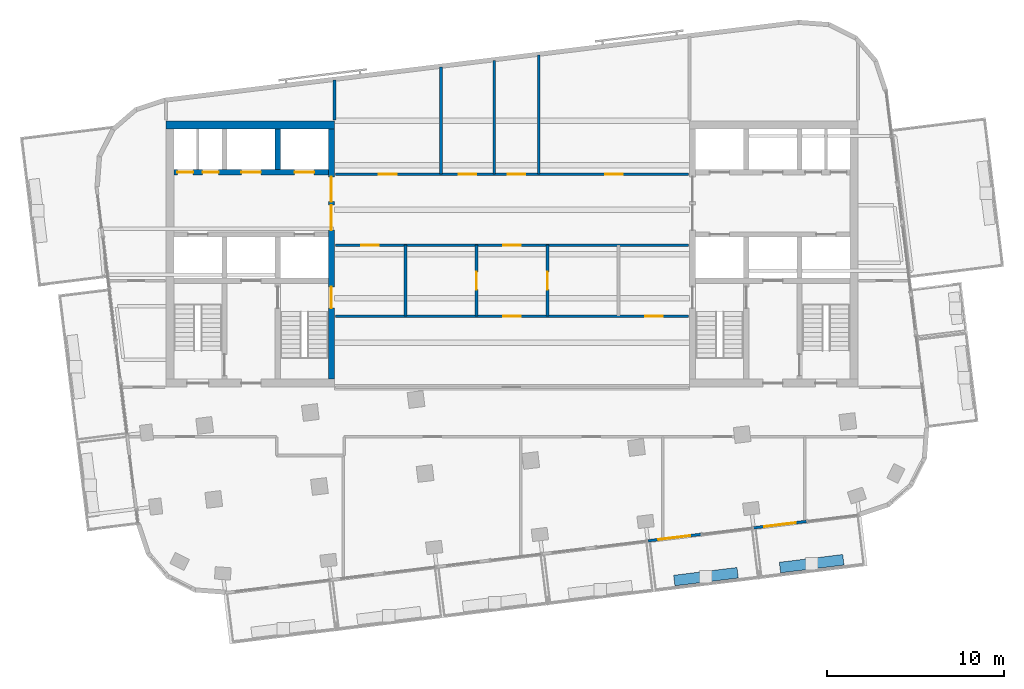
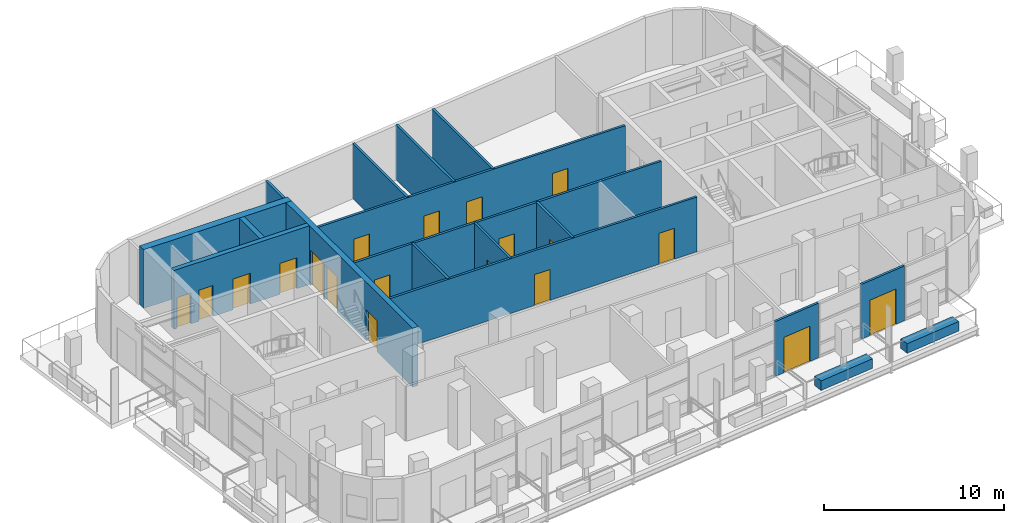
# One storey, part 8 of 14: 19 doors, 18 walls, 19 openings.
"""IFC4 building model written with IfcOpenShell, lengths in metres."""

from ifc_helpers import new_model, si_unit, direction, frame, frame_2d, origin, place, context, subcontext, project, spatial, rectangle, extrude, material, layer, layer_set, type_object, element, fill, save


model = new_model("IFC4")

# Units and contexts
model_context = context("Model", 3, precision=1e-05, world=origin(), true_north=direction((0.0, 1.0)))
body_context = subcontext(model_context, "Body", "Model", "MODEL_VIEW")
ifc_project = project(units=[si_unit("LENGTHUNIT", "METRE"), si_unit("AREAUNIT", "SQUARE_METRE"), si_unit("VOLUMEUNIT", "CUBIC_METRE"), si_unit("PLANEANGLEUNIT", "RADIAN"), si_unit("MASSUNIT", "GRAM", prefix="KILO")], contexts=[model_context])

# Site, building, storey
site_placement = place(None, origin())
site = spatial("IfcSite", under=ifc_project, at=site_placement, CompositionType="ELEMENT")
building_placement = place(site_placement, origin())
building = spatial("IfcBuilding", under=site, at=building_placement, Name="Torana Hotel and Residences", CompositionType="ELEMENT")
storey_placement = place(building_placement, frame((0.0, 0.0, 338.60009765625)))
storey = spatial("IfcBuildingStorey", under=building, at=storey_placement, Name="L89", CompositionType="ELEMENT", Elevation=338.60009765625)

# Wall, openings, doors
ifc_material_1 = material(Name="Concrete C60/75", Category="concrete")
ifc_layer_1 = layer(ifc_material_1, 0.300048828125)
ifc_layer_set_1 = layer_set([ifc_layer_1], Name="CORE WALL 300 C60/75")
wall_type_1 = type_object("IfcWallType", Name="CORE WALL 300 C60/75", PredefinedType="SHEAR", material=ifc_layer_set_1)
wall_1_placement = place(storey_placement, frame((-19.050048828125, -2.89990234375, 0.0), z_axis=(0.0, 0.0, 1.0), x_axis=(1.0, 0.0, 0.0)))
wall_1 = element("IfcWall", 1, at=wall_1_placement, inside=storey, type_object=wall_type_1, Name="Core wall W row-N", PredefinedType="SHEAR", context=body_context, shape_type="SweptSolid", body=[
    extrude(rectangle(XDim=8.699951171875, YDim=0.300048828125, at=frame_2d((4.35009765625, 0.0))), origin(), (0.0, 0.0, 1.0), 4.0),
])
opening_1_placement = place(wall_1_placement, frame((6.800048828125, 0.0, 0.0)))
opening_1 = element("IfcOpeningElement", 2, at=opening_1_placement, cuts=wall_1, Name="Opening LD", PredefinedType="OPENING", context=body_context, shape_type="SweptSolid", body=[
    extrude(rectangle(XDim=1.10009765625, YDim=2.10009765625, at=frame_2d((0.550048828125, 1.050048828125))), frame((0.0, 0.159912109375, 0.0), z_axis=(0.0, -1.0, 0.0), x_axis=(1.0, 0.0, 0.0)), (0.0, 0.0, 1.0), 0.320068359375),
])
opening_2_placement = place(wall_1_placement, frame((3.800048828125, 0.0, 0.0)))
opening_2 = element("IfcOpeningElement", 3, at=opening_2_placement, cuts=wall_1, Name="Opening LD", PredefinedType="OPENING", context=body_context, shape_type="SweptSolid", body=[
    extrude(rectangle(XDim=1.10009765625, YDim=2.10009765625, at=frame_2d((0.550048828125, 1.050048828125))), frame((0.0, 0.159912109375, 0.0), z_axis=(0.0, -1.0, 0.0), x_axis=(1.0, 0.0, 0.0)), (0.0, 0.0, 1.0), 0.320068359375),
])
opening_3_placement = place(wall_1_placement, frame((1.612548828125, 0.0, 0.0)))
opening_3 = element("IfcOpeningElement", 4, at=opening_3_placement, cuts=wall_1, Name="Opening L89-06", PredefinedType="OPENING", context=body_context, shape_type="SweptSolid", body=[
    extrude(rectangle(XDim=0.89990234375, YDim=2.10009765625, at=frame_2d((0.449951171875, 1.050048828125))), frame((0.0, 0.159912109375, 0.0), z_axis=(0.0, -1.0, 0.0), x_axis=(1.0, 0.0, 0.0)), (0.0, 0.0, 1.0), 0.320068359375),
])
opening_4_placement = place(wall_1_placement, frame((0.1875, 0.0, 0.0)))
opening_4 = element("IfcOpeningElement", 5, at=opening_4_placement, cuts=wall_1, Name="Opening L89-07", PredefinedType="OPENING", context=body_context, shape_type="SweptSolid", body=[
    extrude(rectangle(XDim=0.89990234375, YDim=2.10009765625, at=frame_2d((0.449951171875, 1.050048828125))), frame((0.0, 0.159912109375, 0.0), z_axis=(0.0, -1.0, 0.0), x_axis=(1.0, 0.0, 0.0)), (0.0, 0.0, 1.0), 0.320068359375),
])
ifc_material_2 = material(Name="Stainless steel 316", Category="steel")
door_type_1 = type_object("IfcDoorType", Name="LIFT LANDING DOOR LD 1100x2100", OperationType="DOUBLE_DOOR_SLIDING", PredefinedType="USERDEFINED", material=ifc_material_2)
door_1_placement = place(opening_1_placement, origin())
door_1 = element("IfcDoor", 6, at=door_1_placement, inside=storey, type_object=door_type_1, Name="Lift landing door H1 L89", ObjectType="LIFT LANDING DOOR", OperationType="DOUBLE_DOOR_SLIDING", OverallHeight=2.10009765625, OverallWidth=1.10009765625, PredefinedType="USERDEFINED", context=body_context, shape_type="SweptSolid", body=[
    extrude(rectangle(XDim=1.10009765625, YDim=2.10009765625, at=frame_2d((0.550048828125, 1.050048828125))), frame((0.0, 0.02490234375, 0.0), z_axis=(0.0, -1.0, 0.0), x_axis=(1.0, 0.0, 0.0)), (0.0, 0.0, 1.0), 0.050048828125),
])
fill(opening_1, door_1)
door_2_placement = place(opening_2_placement, origin())
door_2 = element("IfcDoor", 7, at=door_2_placement, inside=storey, type_object=door_type_1, Name="Lift landing door H2 L89", ObjectType="LIFT LANDING DOOR", OperationType="DOUBLE_DOOR_SLIDING", OverallHeight=2.10009765625, OverallWidth=1.10009765625, PredefinedType="USERDEFINED", context=body_context, shape_type="SweptSolid", body=[
    extrude(rectangle(XDim=1.10009765625, YDim=2.10009765625, at=frame_2d((0.550048828125, 1.050048828125))), frame((0.0, 0.02490234375, 0.0), z_axis=(0.0, -1.0, 0.0), x_axis=(1.0, 0.0, 0.0)), (0.0, 0.0, 1.0), 0.050048828125),
])
fill(opening_2, door_2)
ifc_material_3 = material(Name="Steel S235", Category="steel")
door_type_2 = type_object("IfcDoorType", Name="RISER ACCESS DOOR D5 900x2100", OperationType="SINGLE_SWING_LEFT", PredefinedType="DOOR", material=ifc_material_3)
door_3_placement = place(opening_3_placement, origin())
door_3 = element("IfcDoor", 8, at=door_3_placement, inside=storey, type_object=door_type_2, Name="N2A door L89", OperationType="SINGLE_SWING_RIGHT", OverallHeight=2.10009765625, OverallWidth=0.89990234375, PredefinedType="DOOR", context=body_context, shape_type="SweptSolid", body=[
    extrude(rectangle(XDim=0.89990234375, YDim=2.10009765625, at=frame_2d((0.449951171875, 1.050048828125))), frame((0.0, 0.02490234375, 0.0), z_axis=(0.0, -1.0, 0.0), x_axis=(1.0, 0.0, 0.0)), (0.0, 0.0, 1.0), 0.050048828125),
])
fill(opening_3, door_3)
door_4_placement = place(opening_4_placement, origin())
door_4 = element("IfcDoor", 9, at=door_4_placement, inside=storey, type_object=door_type_2, Name="N2B door L89", OperationType="SINGLE_SWING_RIGHT", OverallHeight=2.10009765625, OverallWidth=0.89990234375, PredefinedType="DOOR", context=body_context, shape_type="SweptSolid", body=[
    extrude(rectangle(XDim=0.89990234375, YDim=2.10009765625, at=frame_2d((0.449951171875, 1.050048828125))), frame((0.0, 0.02490234375, 0.0), z_axis=(0.0, -1.0, 0.0), x_axis=(1.0, 0.0, 0.0)), (0.0, 0.0, 1.0), 0.050048828125),
])
fill(opening_4, door_4)

# Wall
wall_2_placement = place(storey_placement, frame((-13.199951171875, -2.75, 0.0), z_axis=(0.0, 0.0, 1.0), x_axis=(0.0, 1.0, 0.0)))
element("IfcWall", 10, at=wall_2_placement, inside=storey, type_object=wall_type_1, Name="Core wall W x3.05-N", PredefinedType="SHEAR", context=body_context, shape_type="SweptSolid", body=[
    extrude(rectangle(XDim=2.300048828125, YDim=0.300048828125, at=frame_2d((1.14990234375, 0.0))), origin(), (0.0, 0.0, 1.0), 4.0),
])

# Wall, openings, doors
ifc_material_4 = material(Name="Concrete C60/75", Category="concrete")
ifc_layer_2 = layer(ifc_material_4, 0.35009765625)
ifc_layer_set_2 = layer_set([ifc_layer_2], Name="CORE WALL 350 C60/75")
wall_type_2 = type_object("IfcWallType", Name="CORE WALL 350 C60/75", PredefinedType="SHEAR", material=ifc_layer_set_2)
wall_3_placement = place(storey_placement, frame((-10.175048828125, -14.550048828125, 0.0), z_axis=(0.0, 0.0, 1.0), x_axis=(0.0, 1.0, 0.0)))
wall_3 = element("IfcWall", 11, at=wall_3_placement, inside=storey, type_object=wall_type_2, Name="Core wall W arch", PredefinedType="SHEAR", context=body_context, shape_type="SweptSolid", body=[
    extrude(rectangle(XDim=14.10009765625, YDim=0.35009765625, at=frame_2d((7.050048828125, 0.0))), origin(), (0.0, 0.0, 1.0), 4.0),
])
opening_5_placement = place(wall_3_placement, frame((8.39990234375, 0.0, 0.0)))
opening_5 = element("IfcOpeningElement", 12, at=opening_5_placement, cuts=wall_3, Name="Opening L89-01", PredefinedType="OPENING", context=body_context, shape_type="SweptSolid", body=[
    extrude(rectangle(XDim=1.39990234375, YDim=2.39990234375, at=frame_2d((0.699951171875, 1.199951171875))), frame((0.0, 0.18505859375, 0.0), z_axis=(0.0, -1.0, 0.0), x_axis=(1.0, 0.0, 0.0)), (0.0, 0.0, 1.0), 0.3701171875),
])
opening_6_placement = place(wall_3_placement, frame((10.0, 0.0, 0.0)))
opening_6 = element("IfcOpeningElement", 13, at=opening_6_placement, cuts=wall_3, Name="Opening L89-02", PredefinedType="OPENING", context=body_context, shape_type="SweptSolid", body=[
    extrude(rectangle(XDim=1.39990234375, YDim=2.39990234375, at=frame_2d((0.699951171875, 1.199951171875))), frame((0.0, 0.18505859375, 0.0), z_axis=(0.0, -1.0, 0.0), x_axis=(1.0, 0.0, 0.0)), (0.0, 0.0, 1.0), 0.3701171875),
])
opening_7_placement = place(wall_3_placement, frame((4.0, 0.0, 0.0)))
opening_7 = element("IfcOpeningElement", 14, at=opening_7_placement, cuts=wall_3, Name="Opening L89-03", PredefinedType="OPENING", context=body_context, shape_type="SweptSolid", body=[
    extrude(rectangle(XDim=1.199951171875, YDim=2.10009765625, at=frame_2d((0.60009765625, 1.050048828125))), frame((0.0, 0.18505859375, 0.0), z_axis=(0.0, -1.0, 0.0), x_axis=(1.0, 0.0, 0.0)), (0.0, 0.0, 1.0), 0.3701171875),
])
ifc_material_5 = material(Name="Steel S235", Category="steel")
door_type_3 = type_object("IfcDoorType", Name="LOBBY FIRE DOOR D4 1400x2400", OperationType="DOUBLE_DOOR_SINGLE_SWING", PredefinedType="DOOR", material=ifc_material_5)
door_5_placement = place(opening_5_placement, origin())
door_5 = element("IfcDoor", 15, at=door_5_placement, inside=storey, type_object=door_type_3, Name="Lobby-1 door L89", OperationType="DOUBLE_DOOR_SINGLE_SWING", OverallHeight=2.39990234375, OverallWidth=1.39990234375, PredefinedType="DOOR", context=body_context, shape_type="SweptSolid", body=[
    extrude(rectangle(XDim=1.39990234375, YDim=2.39990234375, at=frame_2d((0.699951171875, 1.199951171875))), frame((0.0, 0.02490234375, 0.0), z_axis=(0.0, -1.0, 0.0), x_axis=(1.0, 0.0, 0.0)), (0.0, 0.0, 1.0), 0.050048828125),
])
fill(opening_5, door_5)
door_6_placement = place(opening_6_placement, origin())
door_6 = element("IfcDoor", 16, at=door_6_placement, inside=storey, type_object=door_type_3, Name="Lobby-2 door L89", OperationType="DOUBLE_DOOR_SINGLE_SWING", OverallHeight=2.39990234375, OverallWidth=1.39990234375, PredefinedType="DOOR", context=body_context, shape_type="SweptSolid", body=[
    extrude(rectangle(XDim=1.39990234375, YDim=2.39990234375, at=frame_2d((0.699951171875, 1.199951171875))), frame((0.0, 0.02490234375, 0.0), z_axis=(0.0, -1.0, 0.0), x_axis=(1.0, 0.0, 0.0)), (0.0, 0.0, 1.0), 0.050048828125),
])
fill(opening_6, door_6)
ifc_material_6 = material(Name="Steel S235", Category="steel")
door_type_4 = type_object("IfcDoorType", Name="STAIR FIRE DOOR D3 1200x2100", OperationType="SINGLE_SWING_LEFT", PredefinedType="DOOR", material=ifc_material_6)
door_7_placement = place(opening_7_placement, origin())
door_7 = element("IfcDoor", 17, at=door_7_placement, inside=storey, type_object=door_type_4, Name="Stair-A door L89", OperationType="SINGLE_SWING_LEFT", OverallHeight=2.10009765625, OverallWidth=1.199951171875, PredefinedType="DOOR", context=body_context, shape_type="SweptSolid", body=[
    extrude(rectangle(XDim=1.199951171875, YDim=2.10009765625, at=frame_2d((0.60009765625, 1.050048828125))), frame((0.0, 0.02490234375, 0.0), z_axis=(0.0, -1.0, 0.0), x_axis=(1.0, 0.0, 0.0)), (0.0, 0.0, 1.0), 0.050048828125),
])
fill(opening_7, door_7)

# Wall
ifc_material_7 = material(Name="Concrete C60/75", Category="concrete")
ifc_layer_3 = layer(ifc_material_7, 0.449951171875)
ifc_layer_set_3 = layer_set([ifc_layer_3], Name="CORE WALL 450 C60/75")
wall_type_3 = type_object("IfcWallType", Name="CORE WALL 450 C60/75", PredefinedType="SHEAR", material=ifc_layer_set_3)
wall_4_placement = place(storey_placement, frame((-19.5, -0.22509765625, 0.0), z_axis=(0.0, 0.0, 1.0), x_axis=(1.0, 0.0, 0.0)))
element("IfcWall", 18, at=wall_4_placement, inside=storey, type_object=wall_type_3, Name="Core wall W rear", PredefinedType="SHEAR", context=body_context, shape_type="SweptSolid", body=[
    extrude(rectangle(XDim=9.5, YDim=0.449951171875, at=frame_2d((4.75, 0.0))), origin(), (0.0, 0.0, 1.0), 4.0),
])

# Wall, opening, door
ifc_material_8 = material(Name="Gypsum plaster")
ifc_layer_4 = layer(ifc_material_8, 0.014892578125, Name="Plaster", Category="finish")
ifc_material_9 = material(Name="Concrete blockwork", Category="masonry")
ifc_layer_5 = layer(ifc_material_9, 0.1201171875, Name="Blockwork", Category="structure")
ifc_layer_6 = layer(ifc_material_8, 0.014892578125, Name="Plaster", Category="finish")
ifc_layer_set_4 = layer_set([ifc_layer_4, ifc_layer_5, ifc_layer_6], Name="FIRE PARTITION 150 BLOCKWORK")
wall_type_4 = type_object("IfcWallType", Name="FIRE PARTITION 150 BLOCKWORK", PredefinedType="PARTITIONING", material=ifc_layer_set_4)
wall_5_placement = place(storey_placement, frame((2.0, -11.0, 0.0), z_axis=(0.0, 0.0, 1.0), x_axis=(0.0, 1.0, 0.0)))
wall_5 = element("IfcWall", 19, at=wall_5_placement, inside=storey, type_object=wall_type_4, Name="Partition L89", PredefinedType="PARTITIONING", context=body_context, shape_type="SweptSolid", body=[
    extrude(rectangle(XDim=4.0, YDim=0.14990234375, at=frame_2d((2.0, 0.0))), origin(), (0.0, 0.0, 1.0), 3.719970703125),
])
opening_8_placement = place(wall_5_placement, frame((1.5, 0.0, 0.0)))
opening_8 = element("IfcOpeningElement", 20, at=opening_8_placement, cuts=wall_5, Name="Opening L89-36", PredefinedType="OPENING", context=body_context, shape_type="SweptSolid", body=[
    extrude(rectangle(XDim=1.0, YDim=2.10009765625, at=frame_2d((0.5, 1.050048828125))), frame((0.0, 0.0849609375, 0.0), z_axis=(0.0, -1.0, 0.0), x_axis=(1.0, 0.0, 0.0)), (0.0, 0.0, 1.0), 0.169921875),
])
ifc_material_10 = material(Name="Steel S235", Category="steel")
door_type_5 = type_object("IfcDoorType", Name="ENTRY FIRE DOOR D6 1000x2100", OperationType="SINGLE_SWING_LEFT", PredefinedType="DOOR", material=ifc_material_10)
door_8_placement = place(opening_8_placement, frame((0.5, 0.0, 0.0), z_axis=(0.0, 0.0, 1.0), x_axis=(-1.0, 0.0, 0.0)))
door_8 = element("IfcDoor", 21, at=door_8_placement, inside=storey, type_object=door_type_5, Name="Door L89", OperationType="SINGLE_SWING_LEFT", OverallHeight=2.10009765625, OverallWidth=1.0, PredefinedType="DOOR", context=body_context, shape_type="SweptSolid", body=[
    extrude(rectangle(XDim=1.0, YDim=2.10009765625, at=frame_2d((0.0, 1.050048828125))), frame((0.0, -0.02490234375, 0.0), z_axis=(0.0, 1.0, 0.0), x_axis=(-1.0, 0.0, 0.0)), (0.0, 0.0, 1.0), 0.050048828125),
])
fill(opening_8, door_8)

wall_6_placement = place(storey_placement, frame((-2.0, -11.0, 0.0), z_axis=(0.0, 0.0, 1.0), x_axis=(0.0, 1.0, 0.0)))
wall_6 = element("IfcWall", 22, at=wall_6_placement, inside=storey, type_object=wall_type_4, Name="Partition L89", PredefinedType="PARTITIONING", context=body_context, shape_type="SweptSolid", body=[
    extrude(rectangle(XDim=4.0, YDim=0.14990234375, at=frame_2d((2.0, 0.0))), origin(), (0.0, 0.0, 1.0), 3.719970703125),
])
opening_9_placement = place(wall_6_placement, frame((1.5, 0.0, 0.0)))
opening_9 = element("IfcOpeningElement", 23, at=opening_9_placement, cuts=wall_6, Name="Opening L89-35", PredefinedType="OPENING", context=body_context, shape_type="SweptSolid", body=[
    extrude(rectangle(XDim=1.0, YDim=2.10009765625, at=frame_2d((0.5, 1.050048828125))), frame((0.0, 0.0849609375, 0.0), z_axis=(0.0, -1.0, 0.0), x_axis=(1.0, 0.0, 0.0)), (0.0, 0.0, 1.0), 0.169921875),
])
door_9_placement = place(opening_9_placement, origin())
door_9 = element("IfcDoor", 24, at=door_9_placement, inside=storey, type_object=door_type_5, Name="Door L89", OperationType="SINGLE_SWING_RIGHT", OverallHeight=2.10009765625, OverallWidth=1.0, PredefinedType="DOOR", context=body_context, shape_type="SweptSolid", body=[
    extrude(rectangle(XDim=1.0, YDim=2.10009765625, at=frame_2d((0.5, 1.050048828125))), frame((0.0, 0.02490234375, 0.0), z_axis=(0.0, -1.0, 0.0), x_axis=(1.0, 0.0, 0.0)), (0.0, 0.0, 1.0), 0.050048828125),
])
fill(opening_9, door_9)

# Wall, openings, doors
wall_7_placement = place(storey_placement, frame((-9.949951171875, -11.0, 0.0), z_axis=(0.0, 0.0, 1.0), x_axis=(1.0, 0.0, 0.0)))
wall_7 = element("IfcWall", 25, at=wall_7_placement, inside=storey, type_object=wall_type_4, Name="Partition L89", PredefinedType="PARTITIONING", context=body_context, shape_type="SweptSolid", body=[
    extrude(rectangle(XDim=19.89990234375, YDim=0.14990234375, at=frame_2d((9.949951171875, 0.0))), origin(), (0.0, 0.0, 1.0), 3.719970703125),
])
opening_10_placement = place(wall_7_placement, frame((9.449951171875, 0.0, 0.0)))
opening_10 = element("IfcOpeningElement", 26, at=opening_10_placement, cuts=wall_7, Name="Opening L89-27", PredefinedType="OPENING", context=body_context, shape_type="SweptSolid", body=[
    extrude(rectangle(XDim=1.0, YDim=2.10009765625, at=frame_2d((0.5, 1.050048828125))), frame((0.0, 0.0849609375, 0.0), z_axis=(0.0, -1.0, 0.0), x_axis=(1.0, 0.0, 0.0)), (0.0, 0.0, 1.0), 0.169921875),
])
opening_11_placement = place(wall_7_placement, frame((17.449951171875, 0.0, 0.0)))
opening_11 = element("IfcOpeningElement", 27, at=opening_11_placement, cuts=wall_7, Name="Opening L89-28", PredefinedType="OPENING", context=body_context, shape_type="SweptSolid", body=[
    extrude(rectangle(XDim=1.0, YDim=2.10009765625, at=frame_2d((0.5, 1.050048828125))), frame((0.0, 0.0849609375, 0.0), z_axis=(0.0, -1.0, 0.0), x_axis=(1.0, 0.0, 0.0)), (0.0, 0.0, 1.0), 0.169921875),
])
door_10_placement = place(opening_10_placement, origin())
door_10 = element("IfcDoor", 28, at=door_10_placement, inside=storey, type_object=door_type_5, Name="Door L89", OperationType="SINGLE_SWING_RIGHT", OverallHeight=2.10009765625, OverallWidth=1.0, PredefinedType="DOOR", context=body_context, shape_type="SweptSolid", body=[
    extrude(rectangle(XDim=1.0, YDim=2.10009765625, at=frame_2d((0.5, 1.050048828125))), frame((0.0, 0.02490234375, 0.0), z_axis=(0.0, -1.0, 0.0), x_axis=(1.0, 0.0, 0.0)), (0.0, 0.0, 1.0), 0.050048828125),
])
fill(opening_10, door_10)
door_11_placement = place(opening_11_placement, origin())
door_11 = element("IfcDoor", 29, at=door_11_placement, inside=storey, type_object=door_type_5, Name="Door L89", OperationType="SINGLE_SWING_RIGHT", OverallHeight=2.10009765625, OverallWidth=1.0, PredefinedType="DOOR", context=body_context, shape_type="SweptSolid", body=[
    extrude(rectangle(XDim=1.0, YDim=2.10009765625, at=frame_2d((0.5, 1.050048828125))), frame((0.0, 0.02490234375, 0.0), z_axis=(0.0, -1.0, 0.0), x_axis=(1.0, 0.0, 0.0)), (0.0, 0.0, 1.0), 0.050048828125),
])
fill(opening_11, door_11)

wall_8_placement = place(storey_placement, frame((-9.949951171875, -7.0, 0.0), z_axis=(0.0, 0.0, 1.0), x_axis=(1.0, 0.0, 0.0)))
wall_8 = element("IfcWall", 30, at=wall_8_placement, inside=storey, type_object=wall_type_4, Name="Partition L89", PredefinedType="PARTITIONING", context=body_context, shape_type="SweptSolid", body=[
    extrude(rectangle(XDim=19.89990234375, YDim=0.14990234375, at=frame_2d((9.949951171875, 0.0))), origin(), (0.0, 0.0, 1.0), 3.719970703125),
])
opening_12_placement = place(wall_8_placement, frame((9.449951171875, 0.0, 0.0)))
opening_12 = element("IfcOpeningElement", 31, at=opening_12_placement, cuts=wall_8, Name="Opening L89-29", PredefinedType="OPENING", context=body_context, shape_type="SweptSolid", body=[
    extrude(rectangle(XDim=1.0, YDim=2.10009765625, at=frame_2d((0.5, 1.050048828125))), frame((0.0, 0.0849609375, 0.0), z_axis=(0.0, -1.0, 0.0), x_axis=(1.0, 0.0, 0.0)), (0.0, 0.0, 1.0), 0.169921875),
])
opening_13_placement = place(wall_8_placement, frame((1.449951171875, 0.0, 0.0)))
opening_13 = element("IfcOpeningElement", 32, at=opening_13_placement, cuts=wall_8, Name="Opening L89-30", PredefinedType="OPENING", context=body_context, shape_type="SweptSolid", body=[
    extrude(rectangle(XDim=1.0, YDim=2.10009765625, at=frame_2d((0.5, 1.050048828125))), frame((0.0, 0.0849609375, 0.0), z_axis=(0.0, -1.0, 0.0), x_axis=(1.0, 0.0, 0.0)), (0.0, 0.0, 1.0), 0.169921875),
])
door_12_placement = place(opening_12_placement, origin())
door_12 = element("IfcDoor", 33, at=door_12_placement, inside=storey, type_object=door_type_5, Name="Door L89", OperationType="SINGLE_SWING_RIGHT", OverallHeight=2.10009765625, OverallWidth=1.0, PredefinedType="DOOR", context=body_context, shape_type="SweptSolid", body=[
    extrude(rectangle(XDim=1.0, YDim=2.10009765625, at=frame_2d((0.5, 1.050048828125))), frame((0.0, 0.02490234375, 0.0), z_axis=(0.0, -1.0, 0.0), x_axis=(1.0, 0.0, 0.0)), (0.0, 0.0, 1.0), 0.050048828125),
])
fill(opening_12, door_12)
door_13_placement = place(opening_13_placement, frame((0.5, 0.0, 0.0), z_axis=(0.0, 0.0, 1.0), x_axis=(-1.0, 0.0, 0.0)))
door_13 = element("IfcDoor", 34, at=door_13_placement, inside=storey, type_object=door_type_5, Name="Door L89", OperationType="SINGLE_SWING_LEFT", OverallHeight=2.10009765625, OverallWidth=1.0, PredefinedType="DOOR", context=body_context, shape_type="SweptSolid", body=[
    extrude(rectangle(XDim=1.0, YDim=2.10009765625, at=frame_2d((0.0, 1.050048828125))), frame((0.0, -0.02490234375, 0.0), z_axis=(0.0, 1.0, 0.0), x_axis=(-1.0, 0.0, 0.0)), (0.0, 0.0, 1.0), 0.050048828125),
])
fill(opening_13, door_13)

wall_9_placement = place(storey_placement, frame((-9.949951171875, -3.0, 0.0), z_axis=(0.0, 0.0, 1.0), x_axis=(1.0, 0.0, 0.0)))
wall_9 = element("IfcWall", 35, at=wall_9_placement, inside=storey, type_object=wall_type_4, Name="Partition L89", PredefinedType="PARTITIONING", context=body_context, shape_type="SweptSolid", body=[
    extrude(rectangle(XDim=19.89990234375, YDim=0.14990234375, at=frame_2d((9.949951171875, 0.0))), origin(), (0.0, 0.0, 1.0), 3.719970703125),
])
opening_14_placement = place(wall_9_placement, frame((2.449951171875, 0.0, 0.0)))
opening_14 = element("IfcOpeningElement", 36, at=opening_14_placement, cuts=wall_9, Name="Opening L89-31", PredefinedType="OPENING", context=body_context, shape_type="SweptSolid", body=[
    extrude(rectangle(XDim=1.0, YDim=2.10009765625, at=frame_2d((0.5, 1.050048828125))), frame((0.0, 0.0849609375, 0.0), z_axis=(0.0, -1.0, 0.0), x_axis=(1.0, 0.0, 0.0)), (0.0, 0.0, 1.0), 0.169921875),
])
opening_15_placement = place(wall_9_placement, frame((6.949951171875, 0.0, 0.0)))
opening_15 = element("IfcOpeningElement", 37, at=opening_15_placement, cuts=wall_9, Name="Opening L89-32", PredefinedType="OPENING", context=body_context, shape_type="SweptSolid", body=[
    extrude(rectangle(XDim=1.0, YDim=2.10009765625, at=frame_2d((0.5, 1.050048828125))), frame((0.0, 0.0849609375, 0.0), z_axis=(0.0, -1.0, 0.0), x_axis=(1.0, 0.0, 0.0)), (0.0, 0.0, 1.0), 0.169921875),
])
opening_16_placement = place(wall_9_placement, frame((9.699951171875, 0.0, 0.0)))
opening_16 = element("IfcOpeningElement", 38, at=opening_16_placement, cuts=wall_9, Name="Opening L89-33", PredefinedType="OPENING", context=body_context, shape_type="SweptSolid", body=[
    extrude(rectangle(XDim=1.0, YDim=2.10009765625, at=frame_2d((0.5, 1.050048828125))), frame((0.0, 0.0849609375, 0.0), z_axis=(0.0, -1.0, 0.0), x_axis=(1.0, 0.0, 0.0)), (0.0, 0.0, 1.0), 0.169921875),
])
opening_17_placement = place(wall_9_placement, frame((15.199951171875, 0.0, 0.0)))
opening_17 = element("IfcOpeningElement", 39, at=opening_17_placement, cuts=wall_9, Name="Opening L89-34", PredefinedType="OPENING", context=body_context, shape_type="SweptSolid", body=[
    extrude(rectangle(XDim=1.0, YDim=2.10009765625, at=frame_2d((0.5, 1.050048828125))), frame((0.0, 0.0849609375, 0.0), z_axis=(0.0, -1.0, 0.0), x_axis=(1.0, 0.0, 0.0)), (0.0, 0.0, 1.0), 0.169921875),
])
door_14_placement = place(opening_14_placement, origin())
door_14 = element("IfcDoor", 40, at=door_14_placement, inside=storey, type_object=door_type_5, Name="Door L89", OperationType="SINGLE_SWING_RIGHT", OverallHeight=2.10009765625, OverallWidth=1.0, PredefinedType="DOOR", context=body_context, shape_type="SweptSolid", body=[
    extrude(rectangle(XDim=1.0, YDim=2.10009765625, at=frame_2d((0.5, 1.050048828125))), frame((0.0, 0.02490234375, 0.0), z_axis=(0.0, -1.0, 0.0), x_axis=(1.0, 0.0, 0.0)), (0.0, 0.0, 1.0), 0.050048828125),
])
fill(opening_14, door_14)
door_15_placement = place(opening_15_placement, origin())
door_15 = element("IfcDoor", 41, at=door_15_placement, inside=storey, type_object=door_type_5, Name="Door L89", OperationType="SINGLE_SWING_RIGHT", OverallHeight=2.10009765625, OverallWidth=1.0, PredefinedType="DOOR", context=body_context, shape_type="SweptSolid", body=[
    extrude(rectangle(XDim=1.0, YDim=2.10009765625, at=frame_2d((0.5, 1.050048828125))), frame((0.0, 0.02490234375, 0.0), z_axis=(0.0, -1.0, 0.0), x_axis=(1.0, 0.0, 0.0)), (0.0, 0.0, 1.0), 0.050048828125),
])
fill(opening_15, door_15)
door_16_placement = place(opening_16_placement, origin())
door_16 = element("IfcDoor", 42, at=door_16_placement, inside=storey, type_object=door_type_5, Name="Door L89", OperationType="SINGLE_SWING_RIGHT", OverallHeight=2.10009765625, OverallWidth=1.0, PredefinedType="DOOR", context=body_context, shape_type="SweptSolid", body=[
    extrude(rectangle(XDim=1.0, YDim=2.10009765625, at=frame_2d((0.5, 1.050048828125))), frame((0.0, 0.02490234375, 0.0), z_axis=(0.0, -1.0, 0.0), x_axis=(1.0, 0.0, 0.0)), (0.0, 0.0, 1.0), 0.050048828125),
])
fill(opening_16, door_16)
door_17_placement = place(opening_17_placement, origin())
door_17 = element("IfcDoor", 43, at=door_17_placement, inside=storey, type_object=door_type_5, Name="Door L89", OperationType="SINGLE_SWING_RIGHT", OverallHeight=2.10009765625, OverallWidth=1.0, PredefinedType="DOOR", context=body_context, shape_type="SweptSolid", body=[
    extrude(rectangle(XDim=1.0, YDim=2.10009765625, at=frame_2d((0.5, 1.050048828125))), frame((0.0, 0.02490234375, 0.0), z_axis=(0.0, -1.0, 0.0), x_axis=(1.0, 0.0, 0.0)), (0.0, 0.0, 1.0), 0.050048828125),
])
fill(opening_17, door_17)

# Wall, opening, door
ifc_material_11 = material(Name="Dark glass screen in aluminium frame", Category="aluminium")
ifc_layer_7 = layer(ifc_material_11, 0.14990234375)
ifc_layer_set_5 = layer_set([ifc_layer_7], Name="GS1 GLAZED DOOR SCREEN 150")
wall_type_5 = type_object("IfcWallType", Name="GS1 GLAZED DOOR SCREEN 150", PredefinedType="USERDEFINED", material=ifc_layer_set_5)
wall_10_placement = place(storey_placement, frame((7.661376953125, -23.664306640625, 0.0), z_axis=(0.0, 0.0, 1.0), x_axis=(0.992552088886, 0.121820978688, 0.0)))
wall_10 = element("IfcWall", 44, at=wall_10_placement, inside=storey, type_object=wall_type_5, Name="Glazed door screen L89", ObjectType="GLAZED SCREEN", PredefinedType="USERDEFINED", context=body_context, shape_type="SweptSolid", body=[
    extrude(rectangle(XDim=3.000244140625, YDim=0.14990234375, at=frame_2d((1.5, 0.0))), origin(), (0.0, 0.0, 1.0), 3.719970703125),
])
opening_18_placement = place(wall_10_placement, frame((0.60009765625, 0.0, 0.0)))
opening_18 = element("IfcOpeningElement", 45, at=opening_18_placement, cuts=wall_10, Name="Opening L89-E08", PredefinedType="OPENING", context=body_context, shape_type="SweptSolid", body=[
    extrude(rectangle(XDim=1.800048828125, YDim=2.39990234375, at=frame_2d((0.89990234375, 1.199951171875))), frame((0.0, 0.0849609375, 0.0), z_axis=(0.0, -1.0, 0.0), x_axis=(1.0, 0.0, 0.0)), (0.0, 0.0, 1.0), 0.169921875),
])
ifc_material_12 = material(Name="Dark glass in black aluminium frame", Category="aluminium")
door_type_6 = type_object("IfcDoorType", Name="DB1 BALCONY DOOR 1800x2400", OperationType="DOUBLE_DOOR_SINGLE_SWING", PredefinedType="DOOR", material=ifc_material_12)
door_18_placement = place(opening_18_placement, origin())
door_18 = element("IfcDoor", 46, at=door_18_placement, inside=storey, type_object=door_type_6, Name="Balcony door L89", OperationType="DOUBLE_DOOR_SINGLE_SWING", OverallHeight=2.39990234375, OverallWidth=1.800048828125, PredefinedType="DOOR", context=body_context, shape_type="SweptSolid", body=[
    extrude(rectangle(XDim=1.800048828125, YDim=2.39990234375, at=frame_2d((0.89990234375, 1.199951171875))), frame((0.0, 0.02490234375, 0.0), z_axis=(0.0, -1.0, 0.0), x_axis=(1.0, 0.0, 0.0)), (0.0, 0.0, 1.0), 0.050048828125),
])
fill(opening_18, door_18)

wall_11_placement = place(storey_placement, frame((13.61669921875, -22.93310546875, 0.0), z_axis=(0.0, 0.0, 1.0), x_axis=(0.99255088108, 0.121830819037, 0.0)))
wall_11 = element("IfcWall", 47, at=wall_11_placement, inside=storey, type_object=wall_type_5, Name="Glazed door screen L89", ObjectType="GLAZED SCREEN", PredefinedType="USERDEFINED", context=body_context, shape_type="SweptSolid", body=[
    extrude(rectangle(XDim=3.0, YDim=0.14990234375, at=frame_2d((1.5, 0.0))), origin(), (0.0, 0.0, 1.0), 3.719970703125),
])
opening_19_placement = place(wall_11_placement, frame((0.60009765625, 0.0, 0.0)))
opening_19 = element("IfcOpeningElement", 48, at=opening_19_placement, cuts=wall_11, Name="Opening L89-E09", PredefinedType="OPENING", context=body_context, shape_type="SweptSolid", body=[
    extrude(rectangle(XDim=1.800048828125, YDim=2.39990234375, at=frame_2d((0.89990234375, 1.199951171875))), frame((0.0, 0.0849609375, 0.0), z_axis=(0.0, -1.0, 0.0), x_axis=(1.0, 0.0, 0.0)), (0.0, 0.0, 1.0), 0.169921875),
])
door_19_placement = place(opening_19_placement, origin())
door_19 = element("IfcDoor", 49, at=door_19_placement, inside=storey, type_object=door_type_6, Name="Balcony door L89", OperationType="DOUBLE_DOOR_SINGLE_SWING", OverallHeight=2.39990234375, OverallWidth=1.800048828125, PredefinedType="DOOR", context=body_context, shape_type="SweptSolid", body=[
    extrude(rectangle(XDim=1.800048828125, YDim=2.39990234375, at=frame_2d((0.89990234375, 1.199951171875))), frame((0.0, 0.02490234375, 0.0), z_axis=(0.0, -1.0, 0.0), x_axis=(1.0, 0.0, 0.0)), (0.0, 0.0, 1.0), 0.050048828125),
])
fill(opening_19, door_19)

# Walls
ifc_material_13 = material(Name="Gypsum plasterboard")
ifc_layer_8 = layer(ifc_material_13, 0.012451171875, Name="Plasterboard", Category="finish")
ifc_layer_9 = layer(ifc_material_13, 0.012451171875, Name="Plasterboard", Category="finish")
ifc_material_14 = material(Name="Steel S280GD", Category="steel")
ifc_layer_10 = layer(ifc_material_14, 0.10009765625, Name="Steel studs with mineral wool", Category="insulation")
ifc_layer_11 = layer(ifc_material_13, 0.012451171875, Name="Plasterboard", Category="finish")
ifc_layer_12 = layer(ifc_material_13, 0.012451171875, Name="Plasterboard", Category="finish")
ifc_layer_set_6 = layer_set([ifc_layer_8, ifc_layer_9, ifc_layer_10, ifc_layer_11, ifc_layer_12], Name="PARTITION 150 PLASTERBOARD")
wall_type_6 = type_object("IfcWallType", Name="PARTITION 150 PLASTERBOARD", PredefinedType="PARTITIONING", material=ifc_layer_set_6)
wall_12_placement = place(storey_placement, frame((-6.0, -11.0, 0.0), z_axis=(0.0, 0.0, 1.0), x_axis=(0.0, 1.0, 0.0)))
element("IfcWall", 50, at=wall_12_placement, inside=storey, type_object=wall_type_6, Name="Partition L89", PredefinedType="PARTITIONING", context=body_context, shape_type="SweptSolid", body=[
    extrude(rectangle(XDim=4.0, YDim=0.14990234375, at=frame_2d((2.0, 0.0))), origin(), (0.0, 0.0, 1.0), 3.719970703125),
])
wall_13_placement = place(storey_placement, frame((-10.0, 0.050048828125, 0.0), z_axis=(0.0, 0.0, 1.0), x_axis=(0.0, 1.0, 0.0)))
element("IfcWall", 51, at=wall_13_placement, inside=storey, type_object=wall_type_6, Name="Partition L89", PredefinedType="PARTITIONING", context=body_context, shape_type="SweptSolid", body=[
    extrude(rectangle(XDim=2.24658203125, YDim=0.14990234375, at=frame_2d((1.123291015625, 0.0))), origin(), (0.0, 0.0, 1.0), 3.719970703125),
])
ifc_material_15 = material(Name="Concrete C40/50 precast", Category="concrete")
ifc_layer_13 = layer(ifc_material_15, 0.10009765625, Name="Planter shell", Category="structure")
ifc_material_16 = material(Name="Root resistant membrane")
ifc_layer_14 = layer(ifc_material_16, 0.00390625, Name="Waterproofing membrane", Category="membrane")
ifc_material_17 = material(Name="Drainage board with filter fleece")
ifc_layer_15 = layer(ifc_material_17, 0.02001953125, Name="Drainage board", Category="drainage")
ifc_material_18 = material(Name="Growing medium")
ifc_layer_16 = layer(ifc_material_18, 0.47607421875, Name="Planting substrate", Category="soil")
ifc_layer_set_7 = layer_set([ifc_layer_13, ifc_layer_14, ifc_layer_15, ifc_layer_16], Name="PL1 BALCONY PLANTER 600")
wall_type_7 = type_object("IfcWallType", Name="PL1 BALCONY PLANTER 600", PredefinedType="USERDEFINED", material=ifc_layer_set_7)
for number, where, z_axis, x_axis, name in (
    (52, (12.718017578125, -25.461669921875, 0.0), (0.0, 0.0, 1.0), (-0.992545758265, -0.121872547154, 0.0), "Planter 05"),
    (53, (18.67333984375, -24.73046875, 0.0), (0.0, 0.0, 1.0), (-0.992545758265, -0.121872547154, 0.0), "Planter 06"),
):
    element("IfcWall", number, at=place(storey_placement, frame(where, z_axis=z_axis, x_axis=x_axis)), inside=storey, type_object=wall_type_7, Name=name, ObjectType="PLANTER", PredefinedType="USERDEFINED", context=body_context, shape_type="SweptSolid", body=[
        extrude(rectangle(XDim=3.599853515625, YDim=0.60009765625, at=frame_2d((1.7998046875, 0.0))), origin(), (0.0, 0.0, 1.0), 0.64990234375),
    ])
ifc_material_19 = material(Name="Ceramic tile on adhesive")
ifc_layer_17 = layer(ifc_material_19, 0.010009765625, Name="Wall tile", Category="finish")
ifc_material_20 = material(Name="Cement render")
ifc_layer_18 = layer(ifc_material_20, 0.010009765625, Name="Render", Category="finish")
ifc_layer_19 = layer(ifc_material_9, 0.110107421875, Name="Blockwork", Category="structure")
ifc_layer_20 = layer(ifc_material_20, 0.010009765625, Name="Render", Category="finish")
ifc_layer_21 = layer(ifc_material_19, 0.010009765625, Name="Wall tile", Category="finish")
ifc_layer_set_8 = layer_set([ifc_layer_17, ifc_layer_18, ifc_layer_19, ifc_layer_20, ifc_layer_21], Name="WC PARTITION 150")
wall_type_8 = type_object("IfcWallType", Name="WC PARTITION 150", PredefinedType="PLUMBINGWALL", material=ifc_layer_set_8)
wall_14_placement = place(storey_placement, frame((1.5, -3.0, 0.0), z_axis=(0.0, 0.0, 1.0), x_axis=(0.0, 1.0, 0.0)))
element("IfcWall", 54, at=wall_14_placement, inside=storey, type_object=wall_type_8, Name="Partition L89", PredefinedType="PLUMBINGWALL", context=body_context, shape_type="SweptSolid", body=[
    extrude(rectangle(XDim=6.708740234375, YDim=0.14990234375, at=frame_2d((3.3544921875, 0.0))), origin(), (0.0, 0.0, 1.0), 3.719970703125),
])
wall_15_placement = place(storey_placement, frame((-1.0, -3.0, 0.0), z_axis=(0.0, 0.0, 1.0), x_axis=(0.0, 1.0, 0.0)))
element("IfcWall", 55, at=wall_15_placement, inside=storey, type_object=wall_type_8, Name="Partition L89", PredefinedType="PLUMBINGWALL", context=body_context, shape_type="SweptSolid", body=[
    extrude(rectangle(XDim=6.401611328125, YDim=0.14990234375, at=frame_2d((3.20068359375, 0.0))), origin(), (0.0, 0.0, 1.0), 3.719970703125),
])
wall_16_placement = place(storey_placement, frame((-4.0, -3.0, 0.0), z_axis=(0.0, 0.0, 1.0), x_axis=(0.0, 1.0, 0.0)))
element("IfcWall", 56, at=wall_16_placement, inside=storey, type_object=wall_type_8, Name="Partition L89", PredefinedType="PLUMBINGWALL", context=body_context, shape_type="SweptSolid", body=[
    extrude(rectangle(XDim=6.033447265625, YDim=0.14990234375, at=frame_2d((3.0166015625, 0.0))), origin(), (0.0, 0.0, 1.0), 3.719970703125),
])

save(model, "model.ifc")
